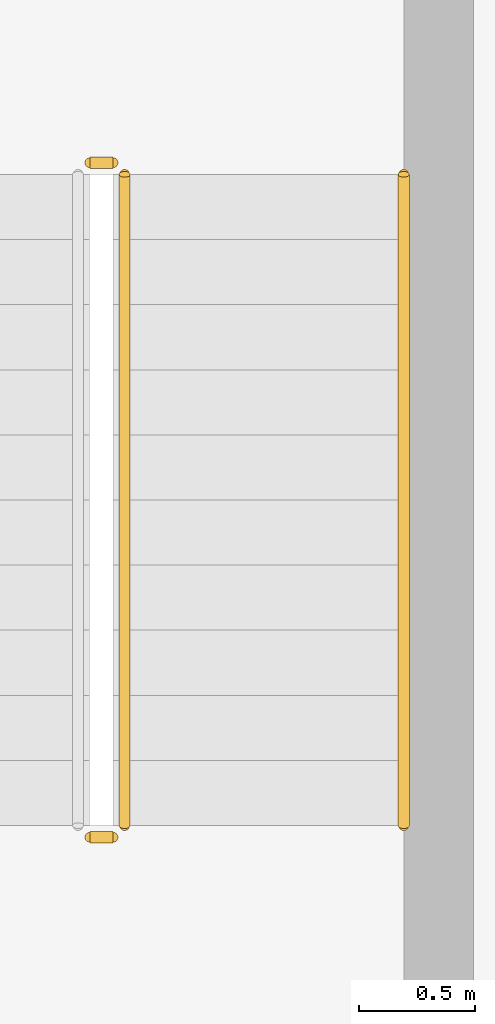
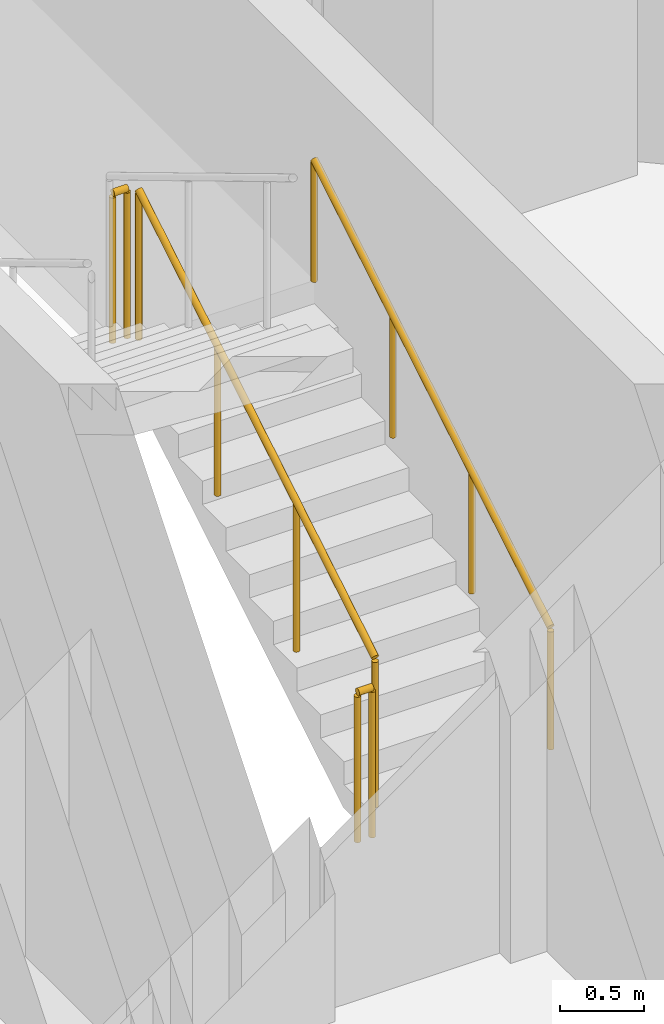
# One storey, part 29 of 30: 4 railings.
"""IFC4 building model written with IfcOpenShell, lengths in metres."""

import ifcopenshell
import ifcopenshell.guid

model = None  # the IFC model being written
_history = None  # IfcOwnerHistory: only IFC2X3 demands one
_inside = {}  # id of a spatial element -> (the spatial element, [elements in it])
_under = {}  # id of a project, library or spatial element -> (it, [spatial elements below it])
_declared = {}  # id of a project -> (the project, [libraries it declares])
_typed = {}  # id of a type object -> (the type object, [elements of that type])
_made_of = {}  # id of a material, layer set ... -> (it, [elements and type objects made of it])


def new_model(schema):
    """Start an empty IFC model of exactly this schema.

    Asked for "IFC4X3", IfcOpenShell would pick the latest addendum, in which some entities
    have other attributes; the version numbers below select the first issue.
    IFC2X3 requires an IfcOwnerHistory on every rooted entity: one is made here for all.
    """
    global model, _history
    if schema == "IFC4X3":
        model = ifcopenshell.file(schema_version=(4, 3, 0, 0))
    else:
        model = ifcopenshell.file(schema=schema)
    _inside.clear()
    _under.clear()
    _declared.clear()
    _typed.clear()
    _made_of.clear()
    _history = None
    if model.schema == "IFC2X3":
        org = make("IfcOrganization", Name="unknown")
        user = make(
            "IfcPersonAndOrganization",
            ThePerson=make("IfcPerson", FamilyName="unknown"),
            TheOrganization=org,
        )
        app = make(
            "IfcApplication",
            ApplicationDeveloper=org,
            Version="unknown",
            ApplicationFullName="unknown",
            ApplicationIdentifier="unknown",
        )
        _history = make(
            "IfcOwnerHistory",
            OwningUser=user,
            OwningApplication=app,
            ChangeAction="ADDED",
            CreationDate=0,
        )
    return model


def make(cls, **values):
    """One entity of the class cls with the attributes given. An attribute that is None is left unset."""
    return model.create_entity(
        cls, **{name: value for name, value in values.items() if value is not None}
    )


def rooted(cls, **values):
    """An entity with a GlobalId (a new one), such as an element, a storey or a relation."""
    return make(cls, GlobalId=ifcopenshell.guid.new(), OwnerHistory=_history, **values)


def si_unit(unit_type, name, prefix=None):
    """IfcSIUnit, for example si_unit("LENGTHUNIT", "METRE", prefix="MILLI")."""
    return make("IfcSIUnit", UnitType=unit_type, Prefix=prefix, Name=name)


def assignment(units):
    """IfcUnitAssignment: the units of a project."""
    return None if units is None else make("IfcUnitAssignment", Units=units)


def point(xyz):
    """IfcCartesianPoint."""
    return None if xyz is None else make("IfcCartesianPoint", Coordinates=xyz)


def direction(xyz):
    """IfcDirection."""
    return None if xyz is None else make("IfcDirection", DirectionRatios=xyz)


def frame(location, z_axis=None, x_axis=None):
    """IfcAxis2Placement3D, a coordinate frame: its origin and axes. An axis left out is left unset."""
    return make(
        "IfcAxis2Placement3D",
        Location=point(location),
        Axis=direction(z_axis),
        RefDirection=direction(x_axis),
    )


def frame_2d(location, x_axis=None):
    """IfcAxis2Placement2D, a coordinate frame in the plane: its origin and x axis."""
    return make(
        "IfcAxis2Placement2D", Location=point(location), RefDirection=direction(x_axis)
    )


def origin():
    """The frame at (0, 0, 0) with its axes left unset."""
    return frame((0.0, 0.0, 0.0))


def origin_2d():
    """The frame at (0, 0) in the plane with its x axis left unset."""
    return frame_2d((0.0, 0.0))


def place(relative_to, where):
    """IfcLocalPlacement: puts the frame where relative to a parent placement (None: the world)."""
    return make(
        "IfcLocalPlacement", PlacementRelTo=relative_to, RelativePlacement=where
    )


def context(
    kind, dimensions, precision=None, world=None, true_north=None, identifier=None
):
    """IfcGeometricRepresentationContext, for example the 3D "Model" context."""
    return make(
        "IfcGeometricRepresentationContext",
        ContextIdentifier=identifier,
        ContextType=kind,
        CoordinateSpaceDimension=dimensions,
        Precision=precision,
        WorldCoordinateSystem=world,
        TrueNorth=true_north,
    )


def subcontext(parent, identifier, kind, view, scale=None):
    """IfcGeometricRepresentationSubContext, for example "Body" below "Model"."""
    return make(
        "IfcGeometricRepresentationSubContext",
        ContextIdentifier=identifier,
        ContextType=kind,
        ParentContext=parent,
        TargetScale=scale,
        TargetView=view,
    )


def project(units=None, contexts=None):
    """IfcProject with its units and contexts."""
    return rooted(
        "IfcProject",
        Name="project",
        RepresentationContexts=contexts,
        UnitsInContext=assignment(units),
    )


def spatial(cls, under=None, at=None, **own):
    """A site, building, storey or space (cls), placed at a placement, below another one or the project."""
    s = rooted(cls, ObjectPlacement=at, **own)
    if under is not None:
        _under.setdefault(under.id(), (under, []))[1].append(s)
    return s


def profile(cls, at=None, kind="AREA", **sizes):
    """A parametric profile (cls). Its sizes go by their IFC names, for example OverallWidth=200.0."""
    return make(cls, ProfileType=kind, Position=at, **sizes)


def circle(**sizes):
    """IfcCircleProfileDef."""
    return profile("IfcCircleProfileDef", **sizes)


def extrude(swept, where, along, depth):
    """IfcExtrudedAreaSolid: the profile swept, set in the frame where, extruded along a direction by depth."""
    return make(
        "IfcExtrudedAreaSolid",
        SweptArea=swept,
        Position=where,
        ExtrudedDirection=direction(along),
        Depth=depth,
    )


def shape(context_of_items, identifier, shape_type, items):
    """IfcShapeRepresentation: the items that make up one representation, for example the "Body"."""
    return make(
        "IfcShapeRepresentation",
        ContextOfItems=context_of_items,
        RepresentationIdentifier=identifier,
        RepresentationType=shape_type,
        Items=items,
    )


def material(Name=None, Category=None):
    """IfcMaterial."""
    return make("IfcMaterial", Name=Name, Category=Category)


def made_of(thing, what):
    """Note that an element or type object is made of a material, layer set ...; save() writes the relation."""
    if what is not None:
        _made_of.setdefault(what.id(), (what, []))[1].append(thing)
    return thing


def type_object(cls, material=None, **own):
    """A type object (cls), such as IfcWallType, which elements share."""
    return made_of(rooted(cls, **own), material)


def element(
    cls,
    number,
    at=None,
    inside=None,
    cuts=None,
    type_object=None,
    material=None,
    context=None,
    identifier="Body",
    shape_type=None,
    held_by="IfcProductDefinitionShape",
    body=None,
    shapes=None,
    **own,
):
    """One element of the class cls, such as IfcWall. Its Tag is "e" and its number.

    at: its placement. inside: the storey or other place that contains it. cuts: it is an
    opening in that element (IfcRelVoidsElement). A single representation is given by context,
    identifier, shape_type and body (its items); several are given by shapes. held_by: the class
    of the entity that holds the representations. save() writes the other relations.
    """
    e = rooted(cls, Tag="e%d" % number, ObjectPlacement=at, **own)
    if body is not None:
        shapes = [shape(context, identifier, shape_type, body)]
    if shapes is not None:
        e.Representation = make(held_by, Representations=shapes)
    if inside is not None:
        _inside.setdefault(inside.id(), (inside, []))[1].append(e)
    if cuts is not None:
        rooted(
            "IfcRelVoidsElement", RelatingBuildingElement=cuts, RelatedOpeningElement=e
        )
    if type_object is not None:
        _typed.setdefault(type_object.id(), (type_object, []))[1].append(e)
    return made_of(e, material)


def aggregate(whole, parts):
    """IfcRelAggregates: a whole, such as a stair, and the parts it consists of."""
    return rooted("IfcRelAggregates", RelatingObject=whole, RelatedObjects=parts)


def save(model, path):
    """Write the relations noted so far, then the file.

    IfcRelAggregates (storeys below a building ...), IfcRelContainedInSpatialStructure (elements
    in a storey), IfcRelDefinesByType, IfcRelAssociatesMaterial and IfcRelDeclares: one each for
    every whole, place, type object, material and project.
    """
    for whole, parts in _under.values():
        aggregate(whole, parts)
    for where, things in _inside.values():
        rooted(
            "IfcRelContainedInSpatialStructure",
            RelatedElements=things,
            RelatingStructure=where,
        )
    for kind, things in _typed.values():
        rooted("IfcRelDefinesByType", RelatedObjects=things, RelatingType=kind)
    for what, things in _made_of.values():
        rooted("IfcRelAssociatesMaterial", RelatedObjects=things, RelatingMaterial=what)
    for by, libraries in _declared.values():
        rooted("IfcRelDeclares", RelatingContext=by, RelatedDefinitions=libraries)
    model.write(path)


model = new_model("IFC4")

# Units and contexts
model_context = context("Model", 3, precision=1e-05, world=origin(), true_north=direction((0.0, 1.0)))
body_context = subcontext(model_context, "Body", "Model", "MODEL_VIEW")
ifc_project = project(units=[si_unit("LENGTHUNIT", "METRE"), si_unit("AREAUNIT", "SQUARE_METRE"), si_unit("VOLUMEUNIT", "CUBIC_METRE"), si_unit("PLANEANGLEUNIT", "RADIAN"), si_unit("MASSUNIT", "GRAM", prefix="KILO")], contexts=[model_context])

# Site, building, storey
site_placement = place(None, origin())
site = spatial("IfcSite", under=ifc_project, at=site_placement, CompositionType="ELEMENT")
building_placement = place(site_placement, origin())
building = spatial("IfcBuilding", under=site, at=building_placement, Name="Ogive Portal Towers", CompositionType="ELEMENT")
storey_placement = place(building_placement, frame((0.0, 0.0, 37.199951171875)))
storey = spatial("IfcBuildingStorey", under=building, at=storey_placement, Name="L07", CompositionType="ELEMENT", Elevation=37.199951171875)

# Railings
ifc_material_1 = material(Name="Stainless steel balustrade", Category="steel")
railing_type_1 = type_object("IfcRailingType", Name="INT-GUARD", PredefinedType="GUARDRAIL", material=ifc_material_1)
railing_1_placement = place(storey_placement, frame((42.949951171875, 67.199951171875, 0.168212890625)))
element("IfcRailing", 1, at=railing_1_placement, inside=storey, type_object=railing_type_1, Name="L07 ST-A3 stair guard 1", PredefinedType="GUARDRAIL", context=body_context, shape_type="SweptSolid", body=[
    extrude(circle(Radius=0.02392578125, at=origin_2d()), frame((0.0, 0.0, 1.076171875), z_axis=(0.0, 0.857242210791, 0.514913383045), x_axis=(-1.0, 0.0, 0.0)), (0.0, 0.0, 1.0), 3.266357421875),
    extrude(circle(Radius=0.02099609375, at=origin_2d()), origin(), (0.0, 0.0, 1.0), 1.052001953125),
    extrude(circle(Radius=0.02099609375, at=origin_2d()), frame((0.0, 0.933349609375, 0.560546875)), (0.0, 0.0, 1.0), 1.052001953125),
    extrude(circle(Radius=0.02099609375, at=origin_2d()), frame((0.0, 1.86669921875, 1.121337890625)), (0.0, 0.0, 1.0), 1.052001953125),
    extrude(circle(Radius=0.02099609375, at=origin_2d()), frame((0.0, 2.800048828125, 1.681884765625)), (0.0, 0.0, 1.0), 1.052001953125),
])
for number, where, name in (
    (2, (42.89990234375, 70.050048828125, 1.85009765625), "L07 ST-A3 stair guard 2"),
    (3, (42.89990234375, 67.14990234375, 0.0), "L07 ST-A3 stair guard 4"),
):
    element("IfcRailing", number, at=place(storey_placement, frame(where)), inside=storey, type_object=railing_type_1, Name=name, PredefinedType="GUARDRAIL", context=body_context, shape_type="SweptSolid", body=[
        extrude(circle(Radius=0.02392578125, at=origin_2d()), frame((0.0, 0.0, 1.076171875), z_axis=(-1.0, 0.0, 0.0), x_axis=(0.0, -1.0, 0.0)), (0.0, 0.0, 1.0), 0.099853515625),
        extrude(circle(Radius=0.02099609375, at=origin_2d()), origin(), (0.0, 0.0, 1.0), 1.052001953125),
        extrude(circle(Radius=0.02099609375, at=origin_2d()), frame((-0.099853515625, 0.0, 0.0)), (0.0, 0.0, 1.0), 1.052001953125),
    ])
ifc_material_2 = material(Name="Stainless steel handrail", Category="steel")
railing_type_2 = type_object("IfcRailingType", Name="INT-HANDRAIL", PredefinedType="HANDRAIL", material=ifc_material_2)
railing_2_placement = place(storey_placement, frame((44.14990234375, 67.199951171875, 0.168212890625)))
element("IfcRailing", 4, at=railing_2_placement, inside=storey, type_object=railing_type_2, Name="L07 ST-A3 stair handrail 1", PredefinedType="HANDRAIL", context=body_context, shape_type="SweptSolid", body=[
    extrude(circle(Radius=0.02392578125, at=origin_2d()), frame((0.0, 0.0, 0.8759765625), z_axis=(0.0, 0.857242210791, 0.514913383045), x_axis=(-1.0, 0.0, 0.0)), (0.0, 0.0, 1.0), 3.266357421875),
    extrude(circle(Radius=0.02099609375, at=origin_2d()), origin(), (0.0, 0.0, 1.0), 0.851806640625),
    extrude(circle(Radius=0.02099609375, at=origin_2d()), frame((0.0, 0.933349609375, 0.560546875)), (0.0, 0.0, 1.0), 0.851806640625),
    extrude(circle(Radius=0.02099609375, at=origin_2d()), frame((0.0, 1.86669921875, 1.121337890625)), (0.0, 0.0, 1.0), 0.851806640625),
    extrude(circle(Radius=0.02099609375, at=origin_2d()), frame((0.0, 2.800048828125, 1.681884765625)), (0.0, 0.0, 1.0), 0.851806640625),
])

save(model, "model.ifc")
